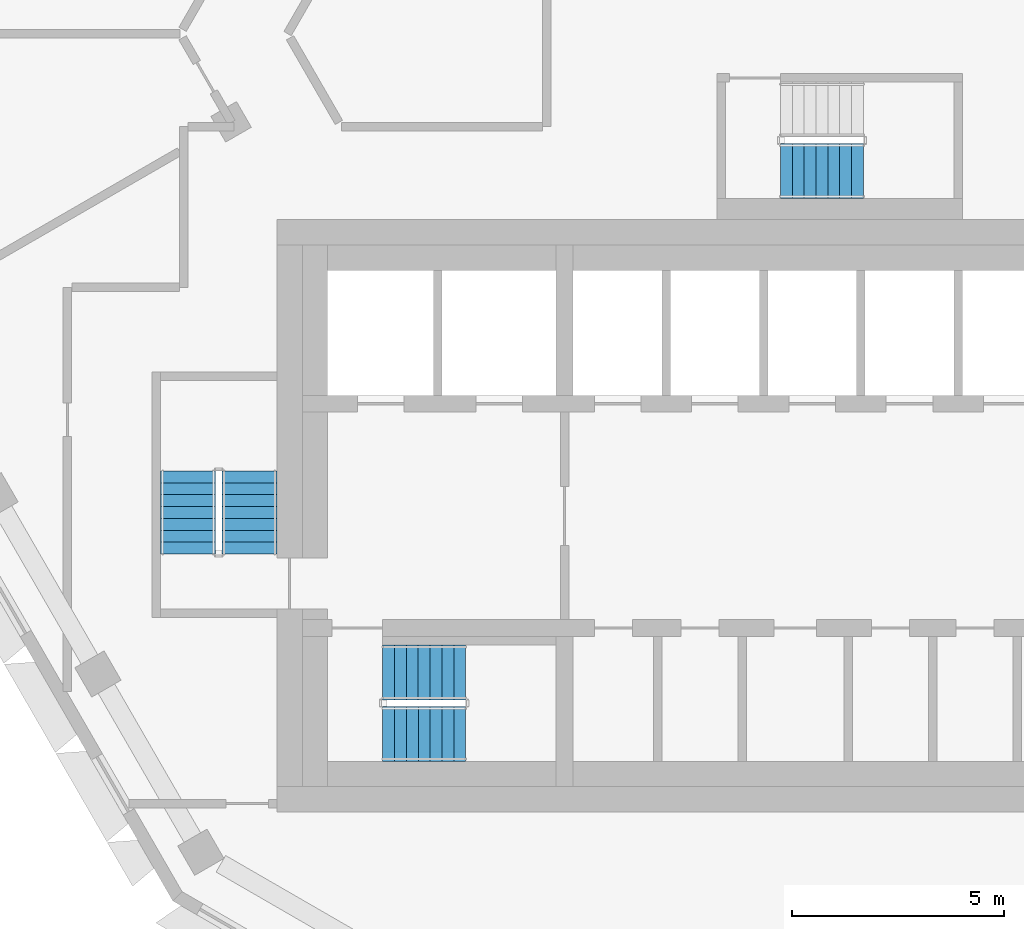
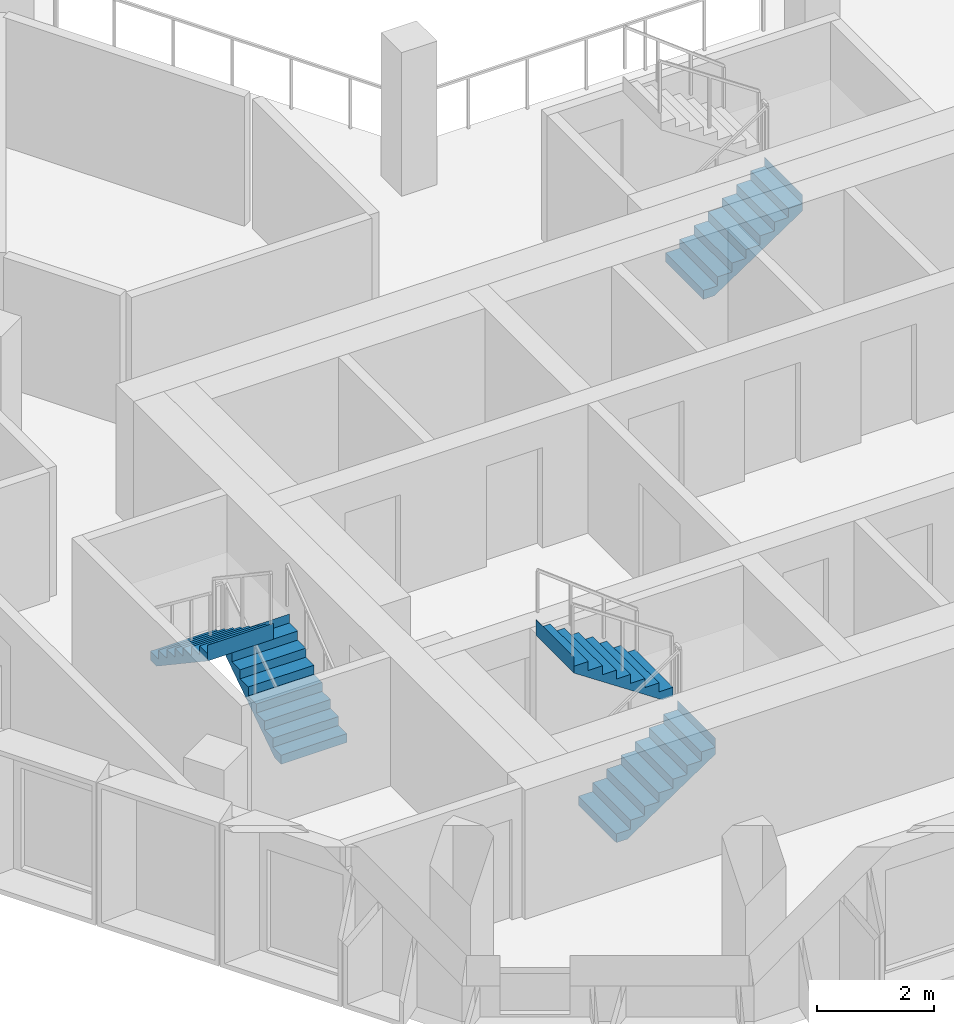
# One storey, part 9 of 15: 5 stair flights, 3 elements without a shape of their own.
"""IFC4 building model written with IfcOpenShell, lengths in metres."""

from ifc_helpers import new_model, si_unit, direction, frame, origin, place, context, subcontext, project, spatial, triangles, material, type_object, element, aggregate, save


model = new_model("IFC4")

# Units and contexts
model_context = context("Model", 3, precision=1e-05, world=origin(), true_north=direction((0.0, 1.0)))
body_context = subcontext(model_context, "Body", "Model", "MODEL_VIEW")
ifc_project = project(units=[si_unit("LENGTHUNIT", "METRE"), si_unit("AREAUNIT", "SQUARE_METRE"), si_unit("VOLUMEUNIT", "CUBIC_METRE"), si_unit("PLANEANGLEUNIT", "RADIAN"), si_unit("MASSUNIT", "GRAM", prefix="KILO")], contexts=[model_context])

# Site, building, storey
site_placement = place(None, origin())
site = spatial("IfcSite", under=ifc_project, at=site_placement, CompositionType="ELEMENT")
building_placement = place(site_placement, origin())
building = spatial("IfcBuilding", under=site, at=building_placement, Name="Beryl Residences", CompositionType="ELEMENT")
storey_placement = place(building_placement, frame((0.0, 0.0, 175.199951171875)))
storey = spatial("IfcBuildingStorey", under=building, at=storey_placement, Name="L53", CompositionType="ELEMENT", Elevation=175.199951171875)

# Stair, stair flights
ifc_material_1 = material(Name="Concrete C40/50", Category="concrete")
stair_type = type_object("IfcStairType", Name="ST1 protected exit stair, half-turn, 1300 mm flights", PredefinedType="HALF_TURN_STAIR", material=ifc_material_1)
stair_1_placement = place(storey_placement, origin())
stair_1 = element("IfcStair", 1, at=stair_1_placement, inside=storey, type_object=stair_type, Name="L53 PROTECTED EXIT STAIR ST-1", PredefinedType="HALF_TURN_STAIR")
ifc_material_2 = material(Name="Concrete C40/50", Category="concrete")
stair_flight_type = type_object("IfcStairFlightType", Name="SF1 stair flight 1300 mm", PredefinedType="STRAIGHT", material=ifc_material_2)
stair_flight_1_placement = place(storey_placement, frame((-10.800048828125, -17.14990234375, 0.0), z_axis=(0.0, 0.0, 1.0), x_axis=(1.0, 0.0, 0.0)))
stair_flight_1 = element("IfcStairFlight", 2, at=stair_flight_1_placement, type_object=stair_flight_type, Name="ST-1 flight 1", NumberOfRisers=8, NumberOfTreads=7, PredefinedType="STRAIGHT", RiserHeight=0.1875, TreadLength=0.28, context=body_context, shape_type="Tessellation", body=[
    triangles([(0.0, -0.64990234375, 0.0), (0.0, -0.324951171875, 0.0), (0.0, 0.0, 0.0), (0.0, 0.324951171875, 0.0), (0.0, 0.64990234375, 0.0), (0.0, -0.64990234375, 0.1875), (0.0, -0.324951171875, 0.1875), (0.0, 0.0, 0.1875), (0.0, 0.324951171875, 0.1875), (0.0, 0.64990234375, 0.1875), (0.280029296875, -0.64990234375, 0.1875), (0.280029296875, -0.324951171875, 0.1875), (0.280029296875, 0.0, 0.1875), (0.280029296875, 0.324951171875, 0.1875), (0.280029296875, 0.64990234375, 0.1875), (0.280029296875, -0.64990234375, 0.375), (0.280029296875, -0.324951171875, 0.375), (0.280029296875, 0.0, 0.375), (0.280029296875, 0.324951171875, 0.375), (0.280029296875, 0.64990234375, 0.375), (0.56005859375, -0.64990234375, 0.375), (0.56005859375, -0.324951171875, 0.375), (0.56005859375, 0.0, 0.375), (0.56005859375, 0.324951171875, 0.375), (0.56005859375, 0.64990234375, 0.375), (0.56005859375, -0.64990234375, 0.5625), (0.56005859375, -0.324951171875, 0.5625), (0.56005859375, 0.0, 0.5625), (0.56005859375, 0.324951171875, 0.5625), (0.56005859375, 0.64990234375, 0.5625), (0.840087890625, -0.64990234375, 0.5625), (0.840087890625, -0.324951171875, 0.5625), (0.840087890625, 0.0, 0.5625), (0.840087890625, 0.324951171875, 0.5625), (0.840087890625, 0.64990234375, 0.5625), (0.840087890625, -0.64990234375, 0.75), (0.840087890625, -0.324951171875, 0.75), (0.840087890625, 0.0, 0.75), (0.840087890625, 0.324951171875, 0.75), (0.840087890625, 0.64990234375, 0.75), (1.1201171875, -0.64990234375, 0.75), (1.1201171875, -0.324951171875, 0.75), (1.1201171875, 0.0, 0.75), (1.1201171875, 0.324951171875, 0.75), (1.1201171875, 0.64990234375, 0.75), (1.1201171875, -0.64990234375, 0.9375), (1.1201171875, -0.324951171875, 0.9375), (1.1201171875, 0.0, 0.9375), (1.1201171875, 0.324951171875, 0.9375), (1.1201171875, 0.64990234375, 0.9375), (1.39990234375, -0.64990234375, 0.9375), (1.39990234375, -0.324951171875, 0.9375), (1.39990234375, 0.0, 0.9375), (1.39990234375, 0.324951171875, 0.9375), (1.39990234375, 0.64990234375, 0.9375), (1.39990234375, -0.64990234375, 1.125), (1.39990234375, -0.324951171875, 1.125), (1.39990234375, 0.0, 1.125), (1.39990234375, 0.324951171875, 1.125), (1.39990234375, 0.64990234375, 1.125), (1.679931640625, -0.64990234375, 1.125), (1.679931640625, -0.324951171875, 1.125), (1.679931640625, 0.0, 1.125), (1.679931640625, 0.324951171875, 1.125), (1.679931640625, 0.64990234375, 1.125), (1.679931640625, -0.64990234375, 1.3125), (1.679931640625, -0.324951171875, 1.3125), (1.679931640625, 0.0, 1.3125), (1.679931640625, 0.324951171875, 1.3125), (1.679931640625, 0.64990234375, 1.3125), (1.9599609375, -0.64990234375, 1.3125), (1.9599609375, -0.324951171875, 1.3125), (1.9599609375, 0.0, 1.3125), (1.9599609375, 0.324951171875, 1.3125), (1.9599609375, 0.64990234375, 1.3125), (1.9599609375, -0.64990234375, 1.5), (1.9599609375, -0.324951171875, 1.5), (1.9599609375, 0.0, 1.5), (1.9599609375, 0.324951171875, 1.5), (1.9599609375, 0.64990234375, 1.5), (1.9609375, -0.64990234375, 1.5), (1.9609375, -0.324951171875, 1.5), (1.9609375, 0.0, 1.5), (1.9609375, 0.324951171875, 1.5), (1.9609375, 0.64990234375, 1.5), (1.9609375, -0.64990234375, 1.16796875), (1.9609375, -0.324951171875, 1.16796875), (1.9609375, 0.0, 1.16796875), (1.9609375, 0.324951171875, 1.16796875), (1.9609375, 0.64990234375, 1.16796875), (0.216796875, -0.64990234375, 0.0), (0.216796875, -0.324951171875, 0.0), (0.216796875, 0.0, 0.0), (0.216796875, 0.324951171875, 0.0), (0.216796875, 0.64990234375, 0.0)], [[1, 6, 7], [1, 7, 2], [2, 7, 8], [2, 8, 3], [3, 8, 9], [3, 9, 4], [4, 9, 10], [4, 10, 5], [6, 11, 12], [6, 12, 7], [7, 12, 13], [7, 13, 8], [8, 13, 14], [8, 14, 9], [9, 14, 15], [9, 15, 10], [11, 16, 17], [11, 17, 12], [12, 17, 18], [12, 18, 13], [13, 18, 19], [13, 19, 14], [14, 19, 20], [14, 20, 15], [16, 21, 22], [16, 22, 17], [17, 22, 23], [17, 23, 18], [18, 23, 24], [18, 24, 19], [19, 24, 25], [19, 25, 20], [21, 26, 27], [21, 27, 22], [22, 27, 28], [22, 28, 23], [23, 28, 29], [23, 29, 24], [24, 29, 30], [24, 30, 25], [26, 31, 32], [26, 32, 27], [27, 32, 33], [27, 33, 28], [28, 33, 34], [28, 34, 29], [29, 34, 35], [29, 35, 30], [31, 36, 37], [31, 37, 32], [32, 37, 38], [32, 38, 33], [33, 38, 39], [33, 39, 34], [34, 39, 40], [34, 40, 35], [36, 41, 42], [36, 42, 37], [37, 42, 43], [37, 43, 38], [38, 43, 44], [38, 44, 39], [39, 44, 45], [39, 45, 40], [41, 46, 47], [41, 47, 42], [42, 47, 48], [42, 48, 43], [43, 48, 49], [43, 49, 44], [44, 49, 50], [44, 50, 45], [46, 51, 52], [46, 52, 47], [47, 52, 53], [47, 53, 48], [48, 53, 54], [48, 54, 49], [49, 54, 55], [49, 55, 50], [51, 56, 57], [51, 57, 52], [52, 57, 58], [52, 58, 53], [53, 58, 59], [53, 59, 54], [54, 59, 60], [54, 60, 55], [56, 61, 62], [56, 62, 57], [57, 62, 63], [57, 63, 58], [58, 63, 64], [58, 64, 59], [59, 64, 65], [59, 65, 60], [61, 66, 67], [61, 67, 62], [62, 67, 68], [62, 68, 63], [63, 68, 69], [63, 69, 64], [64, 69, 70], [64, 70, 65], [66, 71, 72], [66, 72, 67], [67, 72, 73], [67, 73, 68], [68, 73, 74], [68, 74, 69], [69, 74, 75], [69, 75, 70], [71, 76, 77], [71, 77, 72], [72, 77, 78], [72, 78, 73], [73, 78, 79], [73, 79, 74], [74, 79, 80], [74, 80, 75], [76, 81, 82], [76, 82, 77], [77, 82, 83], [77, 83, 78], [78, 83, 84], [78, 84, 79], [79, 84, 85], [79, 85, 80], [81, 86, 87], [81, 87, 82], [82, 87, 88], [82, 88, 83], [83, 88, 89], [83, 89, 84], [84, 89, 90], [84, 90, 85], [86, 91, 92], [86, 92, 87], [87, 92, 93], [87, 93, 88], [88, 93, 94], [88, 94, 89], [89, 94, 95], [89, 95, 90], [91, 1, 2], [91, 2, 92], [92, 2, 3], [92, 3, 93], [93, 3, 4], [93, 4, 94], [94, 4, 5], [94, 5, 95], [1, 91, 86], [5, 90, 95], [86, 81, 76], [90, 80, 85], [86, 76, 71], [90, 75, 80], [86, 71, 66], [90, 70, 75], [86, 66, 61], [90, 65, 70], [61, 56, 51], [65, 55, 60], [86, 61, 51], [90, 55, 65], [51, 46, 41], [55, 45, 50], [86, 51, 41], [90, 45, 55], [41, 36, 31], [45, 35, 40], [86, 41, 31], [90, 35, 45], [31, 26, 21], [35, 25, 30], [86, 31, 21], [90, 25, 35], [21, 16, 11], [25, 15, 20], [86, 21, 11], [90, 15, 25], [1, 86, 11], [5, 15, 90], [11, 6, 1], [15, 5, 10]], closed=True),
])
stair_flight_2_placement = place(storey_placement, frame((-8.840087890625, -15.699951171875, 1.5), z_axis=(0.0, 0.0, 1.0), x_axis=(-1.0, 0.0, 0.0)))
stair_flight_2 = element("IfcStairFlight", 3, at=stair_flight_2_placement, type_object=stair_flight_type, Name="ST-1 flight 2", NumberOfRisers=8, NumberOfTreads=7, PredefinedType="STRAIGHT", RiserHeight=0.1875, TreadLength=0.28, context=body_context, shape_type="Tessellation", body=[
    triangles([(0.0, -0.64990234375, 0.0), (0.0, -0.324951171875, 0.0), (0.0, 0.0, 0.0), (0.0, 0.324951171875, 0.0), (0.0, 0.64990234375, 0.0), (0.0, -0.64990234375, 0.1875), (0.0, -0.324951171875, 0.1875), (0.0, 0.0, 0.1875), (0.0, 0.324951171875, 0.1875), (0.0, 0.64990234375, 0.1875), (0.280029296875, -0.64990234375, 0.1875), (0.280029296875, -0.324951171875, 0.1875), (0.280029296875, 0.0, 0.1875), (0.280029296875, 0.324951171875, 0.1875), (0.280029296875, 0.64990234375, 0.1875), (0.280029296875, -0.64990234375, 0.375), (0.280029296875, -0.324951171875, 0.375), (0.280029296875, 0.0, 0.375), (0.280029296875, 0.324951171875, 0.375), (0.280029296875, 0.64990234375, 0.375), (0.56005859375, -0.64990234375, 0.375), (0.56005859375, -0.324951171875, 0.375), (0.56005859375, 0.0, 0.375), (0.56005859375, 0.324951171875, 0.375), (0.56005859375, 0.64990234375, 0.375), (0.56005859375, -0.64990234375, 0.5625), (0.56005859375, -0.324951171875, 0.5625), (0.56005859375, 0.0, 0.5625), (0.56005859375, 0.324951171875, 0.5625), (0.56005859375, 0.64990234375, 0.5625), (0.840087890625, -0.64990234375, 0.5625), (0.840087890625, -0.324951171875, 0.5625), (0.840087890625, 0.0, 0.5625), (0.840087890625, 0.324951171875, 0.5625), (0.840087890625, 0.64990234375, 0.5625), (0.840087890625, -0.64990234375, 0.75), (0.840087890625, -0.324951171875, 0.75), (0.840087890625, 0.0, 0.75), (0.840087890625, 0.324951171875, 0.75), (0.840087890625, 0.64990234375, 0.75), (1.1201171875, -0.64990234375, 0.75), (1.1201171875, -0.324951171875, 0.75), (1.1201171875, 0.0, 0.75), (1.1201171875, 0.324951171875, 0.75), (1.1201171875, 0.64990234375, 0.75), (1.1201171875, -0.64990234375, 0.9375), (1.1201171875, -0.324951171875, 0.9375), (1.1201171875, 0.0, 0.9375), (1.1201171875, 0.324951171875, 0.9375), (1.1201171875, 0.64990234375, 0.9375), (1.39990234375, -0.64990234375, 0.9375), (1.39990234375, -0.324951171875, 0.9375), (1.39990234375, 0.0, 0.9375), (1.39990234375, 0.324951171875, 0.9375), (1.39990234375, 0.64990234375, 0.9375), (1.39990234375, -0.64990234375, 1.125), (1.39990234375, -0.324951171875, 1.125), (1.39990234375, 0.0, 1.125), (1.39990234375, 0.324951171875, 1.125), (1.39990234375, 0.64990234375, 1.125), (1.679931640625, -0.64990234375, 1.125), (1.679931640625, -0.324951171875, 1.125), (1.679931640625, 0.0, 1.125), (1.679931640625, 0.324951171875, 1.125), (1.679931640625, 0.64990234375, 1.125), (1.679931640625, -0.64990234375, 1.3125), (1.679931640625, -0.324951171875, 1.3125), (1.679931640625, 0.0, 1.3125), (1.679931640625, 0.324951171875, 1.3125), (1.679931640625, 0.64990234375, 1.3125), (1.9599609375, -0.64990234375, 1.3125), (1.9599609375, -0.324951171875, 1.3125), (1.9599609375, 0.0, 1.3125), (1.9599609375, 0.324951171875, 1.3125), (1.9599609375, 0.64990234375, 1.3125), (1.9599609375, -0.64990234375, 1.5), (1.9599609375, -0.324951171875, 1.5), (1.9599609375, 0.0, 1.5), (1.9599609375, 0.324951171875, 1.5), (1.9599609375, 0.64990234375, 1.5), (1.9609375, -0.64990234375, 1.5), (1.9609375, -0.324951171875, 1.5), (1.9609375, 0.0, 1.5), (1.9609375, 0.324951171875, 1.5), (1.9609375, 0.64990234375, 1.5), (1.9609375, -0.64990234375, 1.16796875), (1.9609375, -0.324951171875, 1.16796875), (1.9609375, 0.0, 1.16796875), (1.9609375, 0.324951171875, 1.16796875), (1.9609375, 0.64990234375, 1.16796875), (0.216796875, -0.64990234375, 0.0), (0.216796875, -0.324951171875, 0.0), (0.216796875, 0.0, 0.0), (0.216796875, 0.324951171875, 0.0), (0.216796875, 0.64990234375, 0.0)], [[1, 6, 7], [1, 7, 2], [2, 7, 8], [2, 8, 3], [3, 8, 9], [3, 9, 4], [4, 9, 10], [4, 10, 5], [6, 11, 12], [6, 12, 7], [7, 12, 13], [7, 13, 8], [8, 13, 14], [8, 14, 9], [9, 14, 15], [9, 15, 10], [11, 16, 17], [11, 17, 12], [12, 17, 18], [12, 18, 13], [13, 18, 19], [13, 19, 14], [14, 19, 20], [14, 20, 15], [16, 21, 22], [16, 22, 17], [17, 22, 23], [17, 23, 18], [18, 23, 24], [18, 24, 19], [19, 24, 25], [19, 25, 20], [21, 26, 27], [21, 27, 22], [22, 27, 28], [22, 28, 23], [23, 28, 29], [23, 29, 24], [24, 29, 30], [24, 30, 25], [26, 31, 32], [26, 32, 27], [27, 32, 33], [27, 33, 28], [28, 33, 34], [28, 34, 29], [29, 34, 35], [29, 35, 30], [31, 36, 37], [31, 37, 32], [32, 37, 38], [32, 38, 33], [33, 38, 39], [33, 39, 34], [34, 39, 40], [34, 40, 35], [36, 41, 42], [36, 42, 37], [37, 42, 43], [37, 43, 38], [38, 43, 44], [38, 44, 39], [39, 44, 45], [39, 45, 40], [41, 46, 47], [41, 47, 42], [42, 47, 48], [42, 48, 43], [43, 48, 49], [43, 49, 44], [44, 49, 50], [44, 50, 45], [46, 51, 52], [46, 52, 47], [47, 52, 53], [47, 53, 48], [48, 53, 54], [48, 54, 49], [49, 54, 55], [49, 55, 50], [51, 56, 57], [51, 57, 52], [52, 57, 58], [52, 58, 53], [53, 58, 59], [53, 59, 54], [54, 59, 60], [54, 60, 55], [56, 61, 62], [56, 62, 57], [57, 62, 63], [57, 63, 58], [58, 63, 64], [58, 64, 59], [59, 64, 65], [59, 65, 60], [61, 66, 67], [61, 67, 62], [62, 67, 68], [62, 68, 63], [63, 68, 69], [63, 69, 64], [64, 69, 70], [64, 70, 65], [66, 71, 72], [66, 72, 67], [67, 72, 73], [67, 73, 68], [68, 73, 74], [68, 74, 69], [69, 74, 75], [69, 75, 70], [71, 76, 77], [71, 77, 72], [72, 77, 78], [72, 78, 73], [73, 78, 79], [73, 79, 74], [74, 79, 80], [74, 80, 75], [76, 81, 82], [76, 82, 77], [77, 82, 83], [77, 83, 78], [78, 83, 84], [78, 84, 79], [79, 84, 85], [79, 85, 80], [81, 86, 87], [81, 87, 82], [82, 87, 88], [82, 88, 83], [83, 88, 89], [83, 89, 84], [84, 89, 90], [84, 90, 85], [86, 91, 92], [86, 92, 87], [87, 92, 93], [87, 93, 88], [88, 93, 94], [88, 94, 89], [89, 94, 95], [89, 95, 90], [91, 1, 2], [91, 2, 92], [92, 2, 3], [92, 3, 93], [93, 3, 4], [93, 4, 94], [94, 4, 5], [94, 5, 95], [1, 91, 86], [5, 90, 95], [86, 81, 76], [90, 80, 85], [86, 76, 71], [90, 75, 80], [86, 71, 66], [90, 70, 75], [86, 66, 61], [90, 65, 70], [61, 56, 51], [65, 55, 60], [86, 61, 51], [90, 55, 65], [51, 46, 41], [55, 45, 50], [86, 51, 41], [90, 45, 55], [41, 36, 31], [45, 35, 40], [86, 41, 31], [90, 35, 45], [31, 26, 21], [35, 25, 30], [86, 31, 21], [90, 25, 35], [21, 16, 11], [25, 15, 20], [86, 21, 11], [90, 15, 25], [1, 86, 11], [5, 15, 90], [11, 6, 1], [15, 5, 10]], closed=True),
])
aggregate(stair_1, [stair_flight_1, stair_flight_2])

stair_2_placement = place(storey_placement, origin())
stair_2 = element("IfcStair", 4, at=stair_2_placement, inside=storey, type_object=stair_type, Name="L53 PROTECTED EXIT STAIR ST-2", PredefinedType="HALF_TURN_STAIR")
stair_flight_3_placement = place(storey_placement, frame((-13.949951171875, -12.89990234375, 0.0), z_axis=(0.0, 0.0, 1.0), x_axis=(0.0, 1.0, 0.0)))
stair_flight_3 = element("IfcStairFlight", 5, at=stair_flight_3_placement, type_object=stair_flight_type, Name="ST-2 flight 1", NumberOfRisers=8, NumberOfTreads=7, PredefinedType="STRAIGHT", RiserHeight=0.1875, TreadLength=0.28, context=body_context, shape_type="Tessellation", body=[
    triangles([(0.0, -0.64990234375, 0.0), (0.0, -0.324951171875, 0.0), (0.0, 0.0, 0.0), (0.0, 0.324951171875, 0.0), (0.0, 0.64990234375, 0.0), (0.0, -0.64990234375, 0.1875), (0.0, -0.324951171875, 0.1875), (0.0, 0.0, 0.1875), (0.0, 0.324951171875, 0.1875), (0.0, 0.64990234375, 0.1875), (0.280029296875, -0.64990234375, 0.1875), (0.280029296875, -0.324951171875, 0.1875), (0.280029296875, 0.0, 0.1875), (0.280029296875, 0.324951171875, 0.1875), (0.280029296875, 0.64990234375, 0.1875), (0.280029296875, -0.64990234375, 0.375), (0.280029296875, -0.324951171875, 0.375), (0.280029296875, 0.0, 0.375), (0.280029296875, 0.324951171875, 0.375), (0.280029296875, 0.64990234375, 0.375), (0.56005859375, -0.64990234375, 0.375), (0.56005859375, -0.324951171875, 0.375), (0.56005859375, 0.0, 0.375), (0.56005859375, 0.324951171875, 0.375), (0.56005859375, 0.64990234375, 0.375), (0.56005859375, -0.64990234375, 0.5625), (0.56005859375, -0.324951171875, 0.5625), (0.56005859375, 0.0, 0.5625), (0.56005859375, 0.324951171875, 0.5625), (0.56005859375, 0.64990234375, 0.5625), (0.840087890625, -0.64990234375, 0.5625), (0.840087890625, -0.324951171875, 0.5625), (0.840087890625, 0.0, 0.5625), (0.840087890625, 0.324951171875, 0.5625), (0.840087890625, 0.64990234375, 0.5625), (0.840087890625, -0.64990234375, 0.75), (0.840087890625, -0.324951171875, 0.75), (0.840087890625, 0.0, 0.75), (0.840087890625, 0.324951171875, 0.75), (0.840087890625, 0.64990234375, 0.75), (1.1201171875, -0.64990234375, 0.75), (1.1201171875, -0.324951171875, 0.75), (1.1201171875, 0.0, 0.75), (1.1201171875, 0.324951171875, 0.75), (1.1201171875, 0.64990234375, 0.75), (1.1201171875, -0.64990234375, 0.9375), (1.1201171875, -0.324951171875, 0.9375), (1.1201171875, 0.0, 0.9375), (1.1201171875, 0.324951171875, 0.9375), (1.1201171875, 0.64990234375, 0.9375), (1.39990234375, -0.64990234375, 0.9375), (1.39990234375, -0.324951171875, 0.9375), (1.39990234375, 0.0, 0.9375), (1.39990234375, 0.324951171875, 0.9375), (1.39990234375, 0.64990234375, 0.9375), (1.39990234375, -0.64990234375, 1.125), (1.39990234375, -0.324951171875, 1.125), (1.39990234375, 0.0, 1.125), (1.39990234375, 0.324951171875, 1.125), (1.39990234375, 0.64990234375, 1.125), (1.679931640625, -0.64990234375, 1.125), (1.679931640625, -0.324951171875, 1.125), (1.679931640625, 0.0, 1.125), (1.679931640625, 0.324951171875, 1.125), (1.679931640625, 0.64990234375, 1.125), (1.679931640625, -0.64990234375, 1.3125), (1.679931640625, -0.324951171875, 1.3125), (1.679931640625, 0.0, 1.3125), (1.679931640625, 0.324951171875, 1.3125), (1.679931640625, 0.64990234375, 1.3125), (1.9599609375, -0.64990234375, 1.3125), (1.9599609375, -0.324951171875, 1.3125), (1.9599609375, 0.0, 1.3125), (1.9599609375, 0.324951171875, 1.3125), (1.9599609375, 0.64990234375, 1.3125), (1.9599609375, -0.64990234375, 1.5), (1.9599609375, -0.324951171875, 1.5), (1.9599609375, 0.0, 1.5), (1.9599609375, 0.324951171875, 1.5), (1.9599609375, 0.64990234375, 1.5), (1.9609375, -0.64990234375, 1.5), (1.9609375, -0.324951171875, 1.5), (1.9609375, 0.0, 1.5), (1.9609375, 0.324951171875, 1.5), (1.9609375, 0.64990234375, 1.5), (1.9609375, -0.64990234375, 1.16796875), (1.9609375, -0.324951171875, 1.16796875), (1.9609375, 0.0, 1.16796875), (1.9609375, 0.324951171875, 1.16796875), (1.9609375, 0.64990234375, 1.16796875), (0.216796875, -0.64990234375, 0.0), (0.216796875, -0.324951171875, 0.0), (0.216796875, 0.0, 0.0), (0.216796875, 0.324951171875, 0.0), (0.216796875, 0.64990234375, 0.0)], [[1, 6, 7], [1, 7, 2], [2, 7, 8], [2, 8, 3], [3, 8, 9], [3, 9, 4], [4, 9, 10], [4, 10, 5], [6, 11, 12], [6, 12, 7], [7, 12, 13], [7, 13, 8], [8, 13, 14], [8, 14, 9], [9, 14, 15], [9, 15, 10], [11, 16, 17], [11, 17, 12], [12, 17, 18], [12, 18, 13], [13, 18, 19], [13, 19, 14], [14, 19, 20], [14, 20, 15], [16, 21, 22], [16, 22, 17], [17, 22, 23], [17, 23, 18], [18, 23, 24], [18, 24, 19], [19, 24, 25], [19, 25, 20], [21, 26, 27], [21, 27, 22], [22, 27, 28], [22, 28, 23], [23, 28, 29], [23, 29, 24], [24, 29, 30], [24, 30, 25], [26, 31, 32], [26, 32, 27], [27, 32, 33], [27, 33, 28], [28, 33, 34], [28, 34, 29], [29, 34, 35], [29, 35, 30], [31, 36, 37], [31, 37, 32], [32, 37, 38], [32, 38, 33], [33, 38, 39], [33, 39, 34], [34, 39, 40], [34, 40, 35], [36, 41, 42], [36, 42, 37], [37, 42, 43], [37, 43, 38], [38, 43, 44], [38, 44, 39], [39, 44, 45], [39, 45, 40], [41, 46, 47], [41, 47, 42], [42, 47, 48], [42, 48, 43], [43, 48, 49], [43, 49, 44], [44, 49, 50], [44, 50, 45], [46, 51, 52], [46, 52, 47], [47, 52, 53], [47, 53, 48], [48, 53, 54], [48, 54, 49], [49, 54, 55], [49, 55, 50], [51, 56, 57], [51, 57, 52], [52, 57, 58], [52, 58, 53], [53, 58, 59], [53, 59, 54], [54, 59, 60], [54, 60, 55], [56, 61, 62], [56, 62, 57], [57, 62, 63], [57, 63, 58], [58, 63, 64], [58, 64, 59], [59, 64, 65], [59, 65, 60], [61, 66, 67], [61, 67, 62], [62, 67, 68], [62, 68, 63], [63, 68, 69], [63, 69, 64], [64, 69, 70], [64, 70, 65], [66, 71, 72], [66, 72, 67], [67, 72, 73], [67, 73, 68], [68, 73, 74], [68, 74, 69], [69, 74, 75], [69, 75, 70], [71, 76, 77], [71, 77, 72], [72, 77, 78], [72, 78, 73], [73, 78, 79], [73, 79, 74], [74, 79, 80], [74, 80, 75], [76, 81, 82], [76, 82, 77], [77, 82, 83], [77, 83, 78], [78, 83, 84], [78, 84, 79], [79, 84, 85], [79, 85, 80], [81, 86, 87], [81, 87, 82], [82, 87, 88], [82, 88, 83], [83, 88, 89], [83, 89, 84], [84, 89, 90], [84, 90, 85], [86, 91, 92], [86, 92, 87], [87, 92, 93], [87, 93, 88], [88, 93, 94], [88, 94, 89], [89, 94, 95], [89, 95, 90], [91, 1, 2], [91, 2, 92], [92, 2, 3], [92, 3, 93], [93, 3, 4], [93, 4, 94], [94, 4, 5], [94, 5, 95], [1, 91, 86], [5, 90, 95], [86, 81, 76], [90, 80, 85], [86, 76, 71], [90, 75, 80], [86, 71, 66], [90, 70, 75], [86, 66, 61], [90, 65, 70], [61, 56, 51], [65, 55, 60], [86, 61, 51], [90, 55, 65], [51, 46, 41], [55, 45, 50], [86, 51, 41], [90, 45, 55], [41, 36, 31], [45, 35, 40], [86, 41, 31], [90, 35, 45], [31, 26, 21], [35, 25, 30], [86, 31, 21], [90, 25, 35], [21, 16, 11], [25, 15, 20], [86, 21, 11], [90, 15, 25], [1, 86, 11], [5, 15, 90], [11, 6, 1], [15, 5, 10]], closed=True),
])
stair_flight_4_placement = place(storey_placement, frame((-15.39990234375, -10.93994140625, 1.5), z_axis=(0.0, 0.0, 1.0), x_axis=(0.0, -1.0, 0.0)))
stair_flight_4 = element("IfcStairFlight", 6, at=stair_flight_4_placement, type_object=stair_flight_type, Name="ST-2 flight 2", NumberOfRisers=8, NumberOfTreads=7, PredefinedType="STRAIGHT", RiserHeight=0.1875, TreadLength=0.28, context=body_context, shape_type="Tessellation", body=[
    triangles([(0.0, -0.64990234375, 0.0), (0.0, -0.324951171875, 0.0), (0.0, 0.0, 0.0), (0.0, 0.324951171875, 0.0), (0.0, 0.64990234375, 0.0), (0.0, -0.64990234375, 0.1875), (0.0, -0.324951171875, 0.1875), (0.0, 0.0, 0.1875), (0.0, 0.324951171875, 0.1875), (0.0, 0.64990234375, 0.1875), (0.280029296875, -0.64990234375, 0.1875), (0.280029296875, -0.324951171875, 0.1875), (0.280029296875, 0.0, 0.1875), (0.280029296875, 0.324951171875, 0.1875), (0.280029296875, 0.64990234375, 0.1875), (0.280029296875, -0.64990234375, 0.375), (0.280029296875, -0.324951171875, 0.375), (0.280029296875, 0.0, 0.375), (0.280029296875, 0.324951171875, 0.375), (0.280029296875, 0.64990234375, 0.375), (0.56005859375, -0.64990234375, 0.375), (0.56005859375, -0.324951171875, 0.375), (0.56005859375, 0.0, 0.375), (0.56005859375, 0.324951171875, 0.375), (0.56005859375, 0.64990234375, 0.375), (0.56005859375, -0.64990234375, 0.5625), (0.56005859375, -0.324951171875, 0.5625), (0.56005859375, 0.0, 0.5625), (0.56005859375, 0.324951171875, 0.5625), (0.56005859375, 0.64990234375, 0.5625), (0.840087890625, -0.64990234375, 0.5625), (0.840087890625, -0.324951171875, 0.5625), (0.840087890625, 0.0, 0.5625), (0.840087890625, 0.324951171875, 0.5625), (0.840087890625, 0.64990234375, 0.5625), (0.840087890625, -0.64990234375, 0.75), (0.840087890625, -0.324951171875, 0.75), (0.840087890625, 0.0, 0.75), (0.840087890625, 0.324951171875, 0.75), (0.840087890625, 0.64990234375, 0.75), (1.1201171875, -0.64990234375, 0.75), (1.1201171875, -0.324951171875, 0.75), (1.1201171875, 0.0, 0.75), (1.1201171875, 0.324951171875, 0.75), (1.1201171875, 0.64990234375, 0.75), (1.1201171875, -0.64990234375, 0.9375), (1.1201171875, -0.324951171875, 0.9375), (1.1201171875, 0.0, 0.9375), (1.1201171875, 0.324951171875, 0.9375), (1.1201171875, 0.64990234375, 0.9375), (1.39990234375, -0.64990234375, 0.9375), (1.39990234375, -0.324951171875, 0.9375), (1.39990234375, 0.0, 0.9375), (1.39990234375, 0.324951171875, 0.9375), (1.39990234375, 0.64990234375, 0.9375), (1.39990234375, -0.64990234375, 1.125), (1.39990234375, -0.324951171875, 1.125), (1.39990234375, 0.0, 1.125), (1.39990234375, 0.324951171875, 1.125), (1.39990234375, 0.64990234375, 1.125), (1.679931640625, -0.64990234375, 1.125), (1.679931640625, -0.324951171875, 1.125), (1.679931640625, 0.0, 1.125), (1.679931640625, 0.324951171875, 1.125), (1.679931640625, 0.64990234375, 1.125), (1.679931640625, -0.64990234375, 1.3125), (1.679931640625, -0.324951171875, 1.3125), (1.679931640625, 0.0, 1.3125), (1.679931640625, 0.324951171875, 1.3125), (1.679931640625, 0.64990234375, 1.3125), (1.9599609375, -0.64990234375, 1.3125), (1.9599609375, -0.324951171875, 1.3125), (1.9599609375, 0.0, 1.3125), (1.9599609375, 0.324951171875, 1.3125), (1.9599609375, 0.64990234375, 1.3125), (1.9599609375, -0.64990234375, 1.5), (1.9599609375, -0.324951171875, 1.5), (1.9599609375, 0.0, 1.5), (1.9599609375, 0.324951171875, 1.5), (1.9599609375, 0.64990234375, 1.5), (1.9609375, -0.64990234375, 1.5), (1.9609375, -0.324951171875, 1.5), (1.9609375, 0.0, 1.5), (1.9609375, 0.324951171875, 1.5), (1.9609375, 0.64990234375, 1.5), (1.9609375, -0.64990234375, 1.16796875), (1.9609375, -0.324951171875, 1.16796875), (1.9609375, 0.0, 1.16796875), (1.9609375, 0.324951171875, 1.16796875), (1.9609375, 0.64990234375, 1.16796875), (0.216796875, -0.64990234375, 0.0), (0.216796875, -0.324951171875, 0.0), (0.216796875, 0.0, 0.0), (0.216796875, 0.324951171875, 0.0), (0.216796875, 0.64990234375, 0.0)], [[1, 6, 7], [1, 7, 2], [2, 7, 8], [2, 8, 3], [3, 8, 9], [3, 9, 4], [4, 9, 10], [4, 10, 5], [6, 11, 12], [6, 12, 7], [7, 12, 13], [7, 13, 8], [8, 13, 14], [8, 14, 9], [9, 14, 15], [9, 15, 10], [11, 16, 17], [11, 17, 12], [12, 17, 18], [12, 18, 13], [13, 18, 19], [13, 19, 14], [14, 19, 20], [14, 20, 15], [16, 21, 22], [16, 22, 17], [17, 22, 23], [17, 23, 18], [18, 23, 24], [18, 24, 19], [19, 24, 25], [19, 25, 20], [21, 26, 27], [21, 27, 22], [22, 27, 28], [22, 28, 23], [23, 28, 29], [23, 29, 24], [24, 29, 30], [24, 30, 25], [26, 31, 32], [26, 32, 27], [27, 32, 33], [27, 33, 28], [28, 33, 34], [28, 34, 29], [29, 34, 35], [29, 35, 30], [31, 36, 37], [31, 37, 32], [32, 37, 38], [32, 38, 33], [33, 38, 39], [33, 39, 34], [34, 39, 40], [34, 40, 35], [36, 41, 42], [36, 42, 37], [37, 42, 43], [37, 43, 38], [38, 43, 44], [38, 44, 39], [39, 44, 45], [39, 45, 40], [41, 46, 47], [41, 47, 42], [42, 47, 48], [42, 48, 43], [43, 48, 49], [43, 49, 44], [44, 49, 50], [44, 50, 45], [46, 51, 52], [46, 52, 47], [47, 52, 53], [47, 53, 48], [48, 53, 54], [48, 54, 49], [49, 54, 55], [49, 55, 50], [51, 56, 57], [51, 57, 52], [52, 57, 58], [52, 58, 53], [53, 58, 59], [53, 59, 54], [54, 59, 60], [54, 60, 55], [56, 61, 62], [56, 62, 57], [57, 62, 63], [57, 63, 58], [58, 63, 64], [58, 64, 59], [59, 64, 65], [59, 65, 60], [61, 66, 67], [61, 67, 62], [62, 67, 68], [62, 68, 63], [63, 68, 69], [63, 69, 64], [64, 69, 70], [64, 70, 65], [66, 71, 72], [66, 72, 67], [67, 72, 73], [67, 73, 68], [68, 73, 74], [68, 74, 69], [69, 74, 75], [69, 75, 70], [71, 76, 77], [71, 77, 72], [72, 77, 78], [72, 78, 73], [73, 78, 79], [73, 79, 74], [74, 79, 80], [74, 80, 75], [76, 81, 82], [76, 82, 77], [77, 82, 83], [77, 83, 78], [78, 83, 84], [78, 84, 79], [79, 84, 85], [79, 85, 80], [81, 86, 87], [81, 87, 82], [82, 87, 88], [82, 88, 83], [83, 88, 89], [83, 89, 84], [84, 89, 90], [84, 90, 85], [86, 91, 92], [86, 92, 87], [87, 92, 93], [87, 93, 88], [88, 93, 94], [88, 94, 89], [89, 94, 95], [89, 95, 90], [91, 1, 2], [91, 2, 92], [92, 2, 3], [92, 3, 93], [93, 3, 4], [93, 4, 94], [94, 4, 5], [94, 5, 95], [1, 91, 86], [5, 90, 95], [86, 81, 76], [90, 80, 85], [86, 76, 71], [90, 75, 80], [86, 71, 66], [90, 70, 75], [86, 66, 61], [90, 65, 70], [61, 56, 51], [65, 55, 60], [86, 61, 51], [90, 55, 65], [51, 46, 41], [55, 45, 50], [86, 51, 41], [90, 45, 55], [41, 36, 31], [45, 35, 40], [86, 41, 31], [90, 35, 45], [31, 26, 21], [35, 25, 30], [86, 31, 21], [90, 25, 35], [21, 16, 11], [25, 15, 20], [86, 21, 11], [90, 15, 25], [1, 86, 11], [5, 15, 90], [11, 6, 1], [15, 5, 10]], closed=True),
])
aggregate(stair_2, [stair_flight_3, stair_flight_4])

# Stair, stair flight
stair_3_placement = place(storey_placement, origin())
stair_3 = element("IfcStair", 7, at=stair_3_placement, inside=storey, type_object=stair_type, Name="L53 PROTECTED EXIT STAIR ST-4", PredefinedType="HALF_TURN_STAIR")
stair_flight_5_placement = place(storey_placement, frame((-1.39990234375, -3.85009765625, 0.0), z_axis=(0.0, 0.0, 1.0), x_axis=(1.0, 0.0, 0.0)))
stair_flight_5 = element("IfcStairFlight", 8, at=stair_flight_5_placement, type_object=stair_flight_type, Name="ST-4 flight 1", NumberOfRisers=8, NumberOfTreads=7, PredefinedType="STRAIGHT", RiserHeight=0.1875, TreadLength=0.28, context=body_context, shape_type="Tessellation", body=[
    triangles([(0.0, -0.64990234375, 0.0), (0.0, -0.324951171875, 0.0), (0.0, 0.0, 0.0), (0.0, 0.324951171875, 0.0), (0.0, 0.64990234375, 0.0), (0.0, -0.64990234375, 0.1875), (0.0, -0.324951171875, 0.1875), (0.0, 0.0, 0.1875), (0.0, 0.324951171875, 0.1875), (0.0, 0.64990234375, 0.1875), (0.280029296875, -0.64990234375, 0.1875), (0.280029296875, -0.324951171875, 0.1875), (0.280029296875, 0.0, 0.1875), (0.280029296875, 0.324951171875, 0.1875), (0.280029296875, 0.64990234375, 0.1875), (0.280029296875, -0.64990234375, 0.375), (0.280029296875, -0.324951171875, 0.375), (0.280029296875, 0.0, 0.375), (0.280029296875, 0.324951171875, 0.375), (0.280029296875, 0.64990234375, 0.375), (0.56005859375, -0.64990234375, 0.375), (0.56005859375, -0.324951171875, 0.375), (0.56005859375, 0.0, 0.375), (0.56005859375, 0.324951171875, 0.375), (0.56005859375, 0.64990234375, 0.375), (0.56005859375, -0.64990234375, 0.5625), (0.56005859375, -0.324951171875, 0.5625), (0.56005859375, 0.0, 0.5625), (0.56005859375, 0.324951171875, 0.5625), (0.56005859375, 0.64990234375, 0.5625), (0.840087890625, -0.64990234375, 0.5625), (0.840087890625, -0.324951171875, 0.5625), (0.840087890625, 0.0, 0.5625), (0.840087890625, 0.324951171875, 0.5625), (0.840087890625, 0.64990234375, 0.5625), (0.840087890625, -0.64990234375, 0.75), (0.840087890625, -0.324951171875, 0.75), (0.840087890625, 0.0, 0.75), (0.840087890625, 0.324951171875, 0.75), (0.840087890625, 0.64990234375, 0.75), (1.1201171875, -0.64990234375, 0.75), (1.1201171875, -0.324951171875, 0.75), (1.1201171875, 0.0, 0.75), (1.1201171875, 0.324951171875, 0.75), (1.1201171875, 0.64990234375, 0.75), (1.1201171875, -0.64990234375, 0.9375), (1.1201171875, -0.324951171875, 0.9375), (1.1201171875, 0.0, 0.9375), (1.1201171875, 0.324951171875, 0.9375), (1.1201171875, 0.64990234375, 0.9375), (1.39990234375, -0.64990234375, 0.9375), (1.39990234375, -0.324951171875, 0.9375), (1.39990234375, 0.0, 0.9375), (1.39990234375, 0.324951171875, 0.9375), (1.39990234375, 0.64990234375, 0.9375), (1.39990234375, -0.64990234375, 1.125), (1.39990234375, -0.324951171875, 1.125), (1.39990234375, 0.0, 1.125), (1.39990234375, 0.324951171875, 1.125), (1.39990234375, 0.64990234375, 1.125), (1.679931640625, -0.64990234375, 1.125), (1.679931640625, -0.324951171875, 1.125), (1.679931640625, 0.0, 1.125), (1.679931640625, 0.324951171875, 1.125), (1.679931640625, 0.64990234375, 1.125), (1.679931640625, -0.64990234375, 1.3125), (1.679931640625, -0.324951171875, 1.3125), (1.679931640625, 0.0, 1.3125), (1.679931640625, 0.324951171875, 1.3125), (1.679931640625, 0.64990234375, 1.3125), (1.9599609375, -0.64990234375, 1.3125), (1.9599609375, -0.324951171875, 1.3125), (1.9599609375, 0.0, 1.3125), (1.9599609375, 0.324951171875, 1.3125), (1.9599609375, 0.64990234375, 1.3125), (1.9599609375, -0.64990234375, 1.5), (1.9599609375, -0.324951171875, 1.5), (1.9599609375, 0.0, 1.5), (1.9599609375, 0.324951171875, 1.5), (1.9599609375, 0.64990234375, 1.5), (1.9609375, -0.64990234375, 1.5), (1.9609375, -0.324951171875, 1.5), (1.9609375, 0.0, 1.5), (1.9609375, 0.324951171875, 1.5), (1.9609375, 0.64990234375, 1.5), (1.9609375, -0.64990234375, 1.16796875), (1.9609375, -0.324951171875, 1.16796875), (1.9609375, 0.0, 1.16796875), (1.9609375, 0.324951171875, 1.16796875), (1.9609375, 0.64990234375, 1.16796875), (0.216796875, -0.64990234375, 0.0), (0.216796875, -0.324951171875, 0.0), (0.216796875, 0.0, 0.0), (0.216796875, 0.324951171875, 0.0), (0.216796875, 0.64990234375, 0.0)], [[1, 6, 7], [1, 7, 2], [2, 7, 8], [2, 8, 3], [3, 8, 9], [3, 9, 4], [4, 9, 10], [4, 10, 5], [6, 11, 12], [6, 12, 7], [7, 12, 13], [7, 13, 8], [8, 13, 14], [8, 14, 9], [9, 14, 15], [9, 15, 10], [11, 16, 17], [11, 17, 12], [12, 17, 18], [12, 18, 13], [13, 18, 19], [13, 19, 14], [14, 19, 20], [14, 20, 15], [16, 21, 22], [16, 22, 17], [17, 22, 23], [17, 23, 18], [18, 23, 24], [18, 24, 19], [19, 24, 25], [19, 25, 20], [21, 26, 27], [21, 27, 22], [22, 27, 28], [22, 28, 23], [23, 28, 29], [23, 29, 24], [24, 29, 30], [24, 30, 25], [26, 31, 32], [26, 32, 27], [27, 32, 33], [27, 33, 28], [28, 33, 34], [28, 34, 29], [29, 34, 35], [29, 35, 30], [31, 36, 37], [31, 37, 32], [32, 37, 38], [32, 38, 33], [33, 38, 39], [33, 39, 34], [34, 39, 40], [34, 40, 35], [36, 41, 42], [36, 42, 37], [37, 42, 43], [37, 43, 38], [38, 43, 44], [38, 44, 39], [39, 44, 45], [39, 45, 40], [41, 46, 47], [41, 47, 42], [42, 47, 48], [42, 48, 43], [43, 48, 49], [43, 49, 44], [44, 49, 50], [44, 50, 45], [46, 51, 52], [46, 52, 47], [47, 52, 53], [47, 53, 48], [48, 53, 54], [48, 54, 49], [49, 54, 55], [49, 55, 50], [51, 56, 57], [51, 57, 52], [52, 57, 58], [52, 58, 53], [53, 58, 59], [53, 59, 54], [54, 59, 60], [54, 60, 55], [56, 61, 62], [56, 62, 57], [57, 62, 63], [57, 63, 58], [58, 63, 64], [58, 64, 59], [59, 64, 65], [59, 65, 60], [61, 66, 67], [61, 67, 62], [62, 67, 68], [62, 68, 63], [63, 68, 69], [63, 69, 64], [64, 69, 70], [64, 70, 65], [66, 71, 72], [66, 72, 67], [67, 72, 73], [67, 73, 68], [68, 73, 74], [68, 74, 69], [69, 74, 75], [69, 75, 70], [71, 76, 77], [71, 77, 72], [72, 77, 78], [72, 78, 73], [73, 78, 79], [73, 79, 74], [74, 79, 80], [74, 80, 75], [76, 81, 82], [76, 82, 77], [77, 82, 83], [77, 83, 78], [78, 83, 84], [78, 84, 79], [79, 84, 85], [79, 85, 80], [81, 86, 87], [81, 87, 82], [82, 87, 88], [82, 88, 83], [83, 88, 89], [83, 89, 84], [84, 89, 90], [84, 90, 85], [86, 91, 92], [86, 92, 87], [87, 92, 93], [87, 93, 88], [88, 93, 94], [88, 94, 89], [89, 94, 95], [89, 95, 90], [91, 1, 2], [91, 2, 92], [92, 2, 3], [92, 3, 93], [93, 3, 4], [93, 4, 94], [94, 4, 5], [94, 5, 95], [1, 91, 86], [5, 90, 95], [86, 81, 76], [90, 80, 85], [86, 76, 71], [90, 75, 80], [86, 71, 66], [90, 70, 75], [86, 66, 61], [90, 65, 70], [61, 56, 51], [65, 55, 60], [86, 61, 51], [90, 55, 65], [51, 46, 41], [55, 45, 50], [86, 51, 41], [90, 45, 55], [41, 36, 31], [45, 35, 40], [86, 41, 31], [90, 35, 45], [31, 26, 21], [35, 25, 30], [86, 31, 21], [90, 25, 35], [21, 16, 11], [25, 15, 20], [86, 21, 11], [90, 15, 25], [1, 86, 11], [5, 15, 90], [11, 6, 1], [15, 5, 10]], closed=True),
])
aggregate(stair_3, [stair_flight_5])

save(model, "model.ifc")
